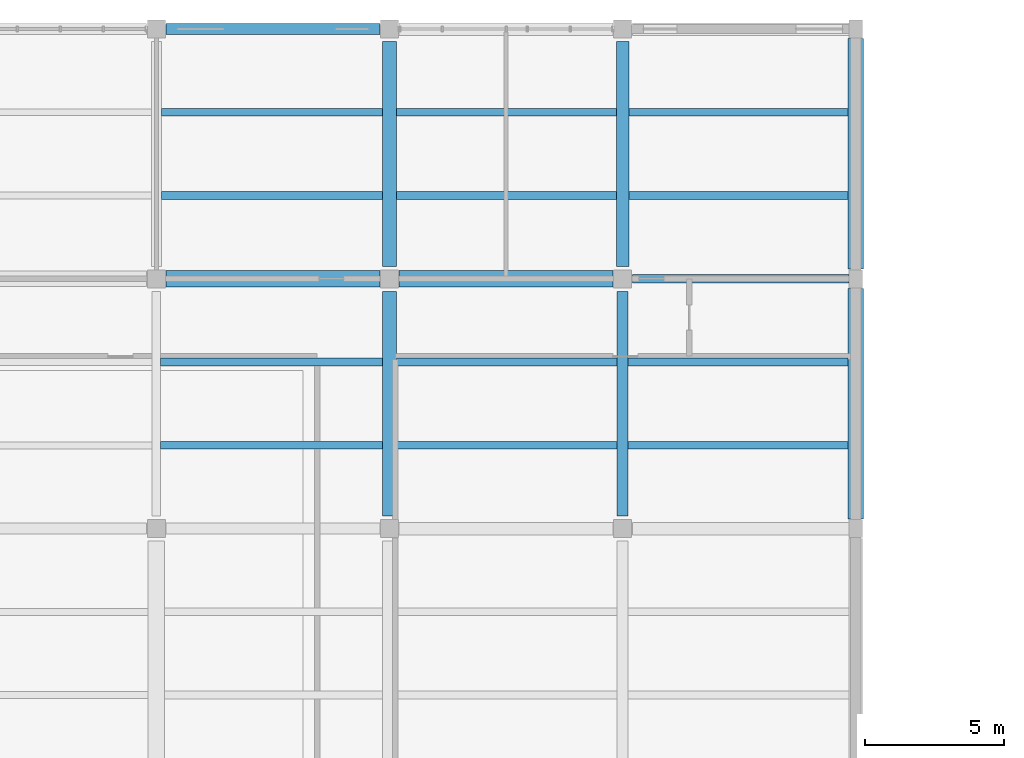
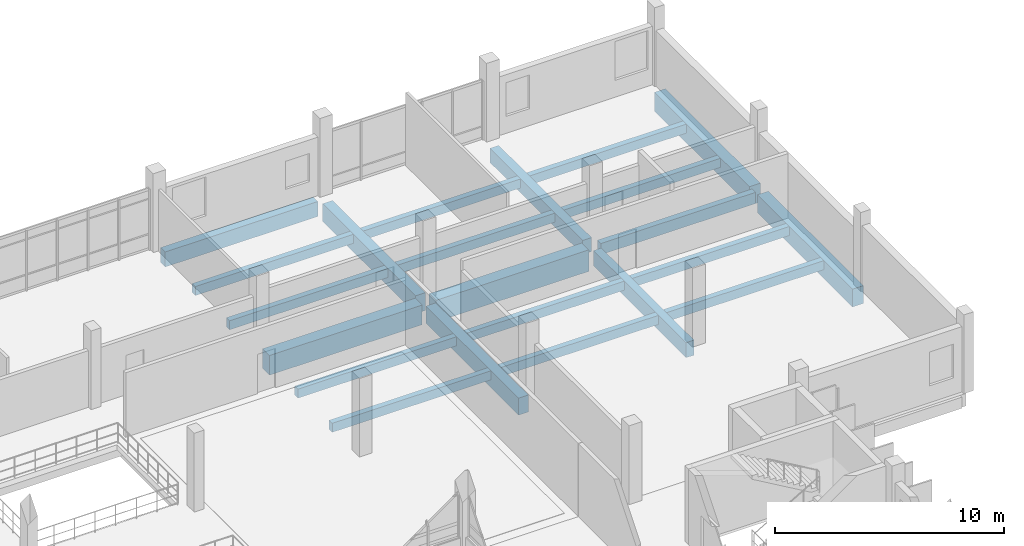
# One storey, part 63 of 101: 22 beams.
"""IFC4 building model written with IfcOpenShell, lengths in metres."""

from ifc_helpers import new_model, si_unit, direction, frame, origin, origin_2d, place, context, subcontext, project, spatial, rectangle, extrude, material, material_profile, profile_set, type_object, element, save


model = new_model("IFC4")

# Units and contexts
model_context = context("Model", 3, precision=1e-05, world=origin(), true_north=direction((0.0, 1.0)))
body_context = subcontext(model_context, "Body", "Model", "MODEL_VIEW")
ifc_project = project(units=[si_unit("LENGTHUNIT", "METRE"), si_unit("AREAUNIT", "SQUARE_METRE"), si_unit("VOLUMEUNIT", "CUBIC_METRE"), si_unit("PLANEANGLEUNIT", "RADIAN"), si_unit("MASSUNIT", "GRAM", prefix="KILO")], contexts=[model_context])

# Site, building, storey
site_placement = place(None, origin())
site = spatial("IfcSite", under=ifc_project, at=site_placement, CompositionType="ELEMENT")
building_placement = place(site_placement, origin())
building = spatial("IfcBuilding", under=site, at=building_placement, Name="Vireocrest Preparatory School", CompositionType="ELEMENT")
storey_placement = place(building_placement, frame((0.0, 0.0, 4.800048828125)))
storey = spatial("IfcBuildingStorey", under=building, at=storey_placement, Name="L01", CompositionType="ELEMENT", Elevation=4.800048828125)

# Beams
ifc_material = material(Name="Concrete 40 MPa", Category="concrete")
ifc_material_profile_1 = material_profile(ifc_material, rectangle(XDim=0.5, YDim=0.949951171875, at=origin_2d()), Name="RC 500x950")
ifc_profile_set_1 = profile_set([ifc_material_profile_1], Name="Concrete 40 MPa")
beam_type_1 = type_object("IfcBeamType", Name="RC Basement Ceiling Girder 500x950", PredefinedType="BEAM", material=ifc_profile_set_1)
beam_1_placement = place(storey_placement, frame((100.800048828125, 104.25, -0.755126953125), z_axis=(0.0, 1.0, 0.0), x_axis=(-1.0, 0.0, 0.0)))
element("IfcBeam", 1, at=beam_1_placement, inside=storey, type_object=beam_type_1, Name="Primary Girder B16 L01-0459", PredefinedType="BEAM", context=body_context, shape_type="SweptSolid", body=[
    extrude(rectangle(XDim=0.5, YDim=0.949951171875, at=origin_2d()), origin(), (0.0, 0.0, 1.0), 8.10009765625),
])
ifc_material_profile_2 = material_profile(ifc_material, rectangle(XDim=0.300048828125, YDim=0.60009765625, at=origin_2d()), Name="RC 300x600")
ifc_profile_set_2 = profile_set([ifc_material_profile_2], Name="Concrete 40 MPa")
beam_type_2 = type_object("IfcBeamType", Name="RC Classroom Beam 300x600", PredefinedType="BEAM", material=ifc_profile_set_2)
beam_2_placement = place(storey_placement, frame((109.550048828125, 103.800048828125, -0.580078125), z_axis=(1.0, 0.0, 0.0), x_axis=(0.0, 1.0, 0.0)))
element("IfcBeam", 2, at=beam_2_placement, inside=storey, type_object=beam_type_2, Name="Primary Girder B03 L01-0361", PredefinedType="BEAM", context=body_context, shape_type="SweptSolid", body=[
    extrude(rectangle(XDim=0.300048828125, YDim=0.60009765625, at=origin_2d()), origin(), (0.0, 0.0, 1.0), 7.800048828125),
])
ifc_material_profile_3 = material_profile(ifc_material, rectangle(XDim=0.550048828125, YDim=1.0, at=origin_2d()), Name="RC 550x1000")
ifc_profile_set_3 = profile_set([ifc_material_profile_3], Name="Concrete 40 MPa")
beam_type_3 = type_object("IfcBeamType", Name="RC Core Coupling Beam 550x1000", PredefinedType="BEAM", material=ifc_profile_set_3)
beam_3_placement = place(storey_placement, frame((117.60009765625, 104.14990234375, -0.780029296875), z_axis=(0.0, 1.0, 0.0), x_axis=(-1.0, 0.0, 0.0)))
element("IfcBeam", 3, at=beam_3_placement, inside=storey, type_object=beam_type_3, Name="Primary Girder B18 L01-0479", PredefinedType="BEAM", context=body_context, shape_type="SweptSolid", body=[
    extrude(rectangle(XDim=0.550048828125, YDim=1.0, at=origin_2d()), origin(), (0.0, 0.0, 1.0), 8.300048828125),
])
ifc_material_profile_4 = material_profile(ifc_material, rectangle(XDim=0.60009765625, YDim=1.14990234375, at=origin_2d()), Name="RC 600x1150")
ifc_profile_set_4 = profile_set([ifc_material_profile_4], Name="Concrete 40 MPa")
beam_type_4 = type_object("IfcBeamType", Name="RC Heavy Transfer Girder 600x1150", PredefinedType="BEAM", material=ifc_profile_set_4)
beam_4_placement = place(storey_placement, frame((101.14990234375, 103.800048828125, -0.85498046875), z_axis=(1.0, 0.0, 0.0), x_axis=(0.0, 1.0, 0.0)))
element("IfcBeam", 4, at=beam_4_placement, inside=storey, type_object=beam_type_4, Name="Primary Girder B20 L01-0360", PredefinedType="BEAM", context=body_context, shape_type="SweptSolid", body=[
    extrude(rectangle(XDim=0.60009765625, YDim=1.14990234375, at=origin_2d()), origin(), (0.0, 0.0, 1.0), 7.7001953125),
])
ifc_material_profile_5 = material_profile(ifc_material, rectangle(XDim=0.39990234375, YDim=0.800048828125, at=origin_2d()), Name="RC 400x800")
ifc_profile_set_5 = profile_set([ifc_material_profile_5], Name="Concrete 40 MPa")
beam_type_5 = type_object("IfcBeamType", Name="RC Library Reading Girder 400x800", PredefinedType="BEAM", material=ifc_profile_set_5)
beam_5_placement = place(storey_placement, frame((92.75, 112.800048828125, -0.679931640625), z_axis=(1.0, 0.0, 0.0), x_axis=(0.0, 1.0, 0.0)))
element("IfcBeam", 5, at=beam_5_placement, inside=storey, type_object=beam_type_5, Name="Primary Girder B10 L01-0368", PredefinedType="BEAM", context=body_context, shape_type="SweptSolid", body=[
    extrude(rectangle(XDim=0.39990234375, YDim=0.800048828125, at=origin_2d()), origin(), (0.0, 0.0, 1.0), 7.699951171875),
])
beam_6_placement = place(storey_placement, frame((109.199951171875, 95.25, -0.679931640625), z_axis=(0.0, 1.0, 0.0), x_axis=(-1.0, 0.0, 0.0)))
element("IfcBeam", 6, at=beam_6_placement, inside=storey, type_object=beam_type_5, Name="Primary Girder B10 L01-0471", PredefinedType="BEAM", context=body_context, shape_type="SweptSolid", body=[
    extrude(rectangle(XDim=0.39990234375, YDim=0.800048828125, at=origin_2d()), origin(), (0.0, 0.0, 1.0), 8.10009765625),
])
ifc_material_profile_6 = material_profile(ifc_material, rectangle(XDim=0.449951171875, YDim=0.75, at=origin_2d()), Name="RC 450x750")
ifc_profile_set_6 = profile_set([ifc_material_profile_6], Name="Concrete 40 MPa")
beam_type_6 = type_object("IfcBeamType", Name="RC Library Stack Girder 450x750", PredefinedType="BEAM", material=ifc_profile_set_6)
beam_7_placement = place(storey_placement, frame((109.199951171875, 104.25, -0.655029296875), z_axis=(0.0, 1.0, 0.0), x_axis=(-1.0, 0.0, 0.0)))
element("IfcBeam", 7, at=beam_7_placement, inside=storey, type_object=beam_type_6, Name="Primary Girder B11 L01-0472", PredefinedType="BEAM", context=body_context, shape_type="SweptSolid", body=[
    extrude(rectangle(XDim=0.449951171875, YDim=0.75, at=origin_2d()), origin(), (0.0, 0.0, 1.0), 8.10009765625),
])
ifc_material_profile_7 = material_profile(ifc_material, rectangle(XDim=0.5, YDim=0.89990234375, at=origin_2d()), Name="RC 500x900")
ifc_profile_set_7 = profile_set([ifc_material_profile_7], Name="Concrete 40 MPa")
beam_type_7 = type_object("IfcBeamType", Name="RC Podium Girder 500x900", PredefinedType="BEAM", material=ifc_profile_set_7)
beam_8_placement = place(storey_placement, frame((100.800048828125, 95.25, -0.72998046875), z_axis=(0.0, 1.0, 0.0), x_axis=(-1.0, 0.0, 0.0)))
element("IfcBeam", 8, at=beam_8_placement, inside=storey, type_object=beam_type_7, Name="Primary Girder B15 L01-0458", PredefinedType="BEAM", context=body_context, shape_type="SweptSolid", body=[
    extrude(rectangle(XDim=0.5, YDim=0.89990234375, at=origin_2d()), origin(), (0.0, 0.0, 1.0), 8.10009765625),
])
ifc_material_profile_8 = material_profile(ifc_material, rectangle(XDim=0.280029296875, YDim=0.47998046875, at=origin_2d()), Name="RC 280x480")
ifc_profile_set_8 = profile_set([ifc_material_profile_8], Name="Concrete 40 MPa")
beam_type_8 = type_object("IfcBeamType", Name="RC Secondary Lab Joist 280x480", PredefinedType="JOIST", material=ifc_profile_set_8)
for number, where, z_axis, x_axis, name in (
    (9, (92.550048828125, 97.800048828125, -0.52001953125), (1.0, 0.0, 0.0), (0.0, 1.0, 0.0), "Secondary Joist J02 L01-0605"),
    (10, (92.550048828125, 100.800048828125, -0.52001953125), (1.0, 0.0, 0.0), (0.0, 1.0, 0.0), "Secondary Joist J02 L01-0606"),
):
    element("IfcBeam", number, at=place(storey_placement, frame(where, z_axis=z_axis, x_axis=x_axis)), inside=storey, type_object=beam_type_8, Name=name, PredefinedType="JOIST", context=body_context, shape_type="SweptSolid", body=[
        extrude(rectangle(XDim=0.280029296875, YDim=0.47998046875, at=origin_2d()), origin(), (0.0, 0.0, 1.0), 8.0),
    ])
for number, where, z_axis, x_axis, name in (
    (11, (92.574951171875, 106.800048828125, -0.52001953125), (1.0, 0.0, 0.0), (0.0, 1.0, 0.0), "Secondary Joist J02 L01-0607"),
    (12, (92.574951171875, 109.800048828125, -0.52001953125), (1.0, 0.0, 0.0), (0.0, 1.0, 0.0), "Secondary Joist J02 L01-0608"),
):
    element("IfcBeam", number, at=place(storey_placement, frame(where, z_axis=z_axis, x_axis=x_axis)), inside=storey, type_object=beam_type_8, Name=name, PredefinedType="JOIST", context=body_context, shape_type="SweptSolid", body=[
        extrude(rectangle(XDim=0.280029296875, YDim=0.47998046875, at=origin_2d()), origin(), (0.0, 0.0, 1.0), 7.97509765625),
    ])
for number, where, z_axis, x_axis, name in (
    (13, (101.050048828125, 97.800048828125, -0.52001953125), (1.0, 0.0, 0.0), (0.0, 1.0, 0.0), "Secondary Joist J02 L01-0623"),
    (14, (101.050048828125, 100.800048828125, -0.52001953125), (1.0, 0.0, 0.0), (0.0, 1.0, 0.0), "Secondary Joist J02 L01-0624"),
):
    element("IfcBeam", number, at=place(storey_placement, frame(where, z_axis=z_axis, x_axis=x_axis)), inside=storey, type_object=beam_type_8, Name=name, PredefinedType="JOIST", context=body_context, shape_type="SweptSolid", body=[
        extrude(rectangle(XDim=0.280029296875, YDim=0.47998046875, at=origin_2d()), origin(), (0.0, 0.0, 1.0), 7.949951171875),
    ])
for number, where, z_axis, x_axis, name in (
    (15, (101.050048828125, 106.800048828125, -0.52001953125), (1.0, 0.0, 0.0), (0.0, 1.0, 0.0), "Secondary Joist J02 L01-0625"),
    (16, (101.050048828125, 109.800048828125, -0.52001953125), (1.0, 0.0, 0.0), (0.0, 1.0, 0.0), "Secondary Joist J02 L01-0626"),
    (17, (109.39990234375, 97.800048828125, -0.52001953125), (1.0, 0.0, 0.0), (0.0, 1.0, 0.0), "Secondary Joist J02 L01-0637"),
    (18, (109.39990234375, 100.800048828125, -0.52001953125), (1.0, 0.0, 0.0), (0.0, 1.0, 0.0), "Secondary Joist J02 L01-0638"),
):
    element("IfcBeam", number, at=place(storey_placement, frame(where, z_axis=z_axis, x_axis=x_axis)), inside=storey, type_object=beam_type_8, Name=name, PredefinedType="JOIST", context=body_context, shape_type="SweptSolid", body=[
        extrude(rectangle(XDim=0.280029296875, YDim=0.47998046875, at=origin_2d()), origin(), (0.0, 0.0, 1.0), 7.925048828125),
    ])
for number, where, z_axis, x_axis, name in (
    (19, (109.425048828125, 106.800048828125, -0.52001953125), (1.0, 0.0, 0.0), (0.0, 1.0, 0.0), "Secondary Joist J02 L01-0639"),
    (20, (109.425048828125, 109.800048828125, -0.52001953125), (1.0, 0.0, 0.0), (0.0, 1.0, 0.0), "Secondary Joist J02 L01-0640"),
):
    element("IfcBeam", number, at=place(storey_placement, frame(where, z_axis=z_axis, x_axis=x_axis)), inside=storey, type_object=beam_type_8, Name=name, PredefinedType="JOIST", context=body_context, shape_type="SweptSolid", body=[
        extrude(rectangle(XDim=0.280029296875, YDim=0.47998046875, at=origin_2d()), origin(), (0.0, 0.0, 1.0), 7.89990234375),
    ])
ifc_material_profile_9 = material_profile(ifc_material, rectangle(XDim=0.550048828125, YDim=0.949951171875, at=origin_2d()), Name="RC 550x950")
ifc_profile_set_9 = profile_set([ifc_material_profile_9], Name="Concrete 40 MPa")
beam_type_9 = type_object("IfcBeamType", Name="RC Setback Edge Girder 550x950", PredefinedType="BEAM", material=ifc_profile_set_9)
beam_9_placement = place(storey_placement, frame((117.60009765625, 95.14990234375, -0.755126953125), z_axis=(0.0, 1.0, 0.0), x_axis=(-1.0, 0.0, 0.0)))
element("IfcBeam", 21, at=beam_9_placement, inside=storey, type_object=beam_type_9, Name="Primary Girder B17 L01-0478", PredefinedType="BEAM", context=body_context, shape_type="SweptSolid", body=[
    extrude(rectangle(XDim=0.550048828125, YDim=0.949951171875, at=origin_2d()), origin(), (0.0, 0.0, 1.0), 8.300048828125),
])
ifc_material_profile_10 = material_profile(ifc_material, rectangle(XDim=0.60009765625, YDim=1.050048828125, at=origin_2d()), Name="RC 600x1050")
ifc_profile_set_10 = profile_set([ifc_material_profile_10], Name="Concrete 40 MPa")
beam_type_10 = type_object("IfcBeamType", Name="RC Transfer Girder 600x1050", PredefinedType="BEAM", material=ifc_profile_set_10)
beam_10_placement = place(storey_placement, frame((92.75, 103.800048828125, -0.804931640625), z_axis=(1.0, 0.0, 0.0), x_axis=(0.0, 1.0, 0.0)))
element("IfcBeam", 22, at=beam_10_placement, inside=storey, type_object=beam_type_10, Name="Primary Girder B19 L01-0359", PredefinedType="BEAM", context=body_context, shape_type="SweptSolid", body=[
    extrude(rectangle(XDim=0.60009765625, YDim=1.050048828125, at=origin_2d()), origin(), (0.0, 0.0, 1.0), 7.699951171875),
])

save(model, "model.ifc")
